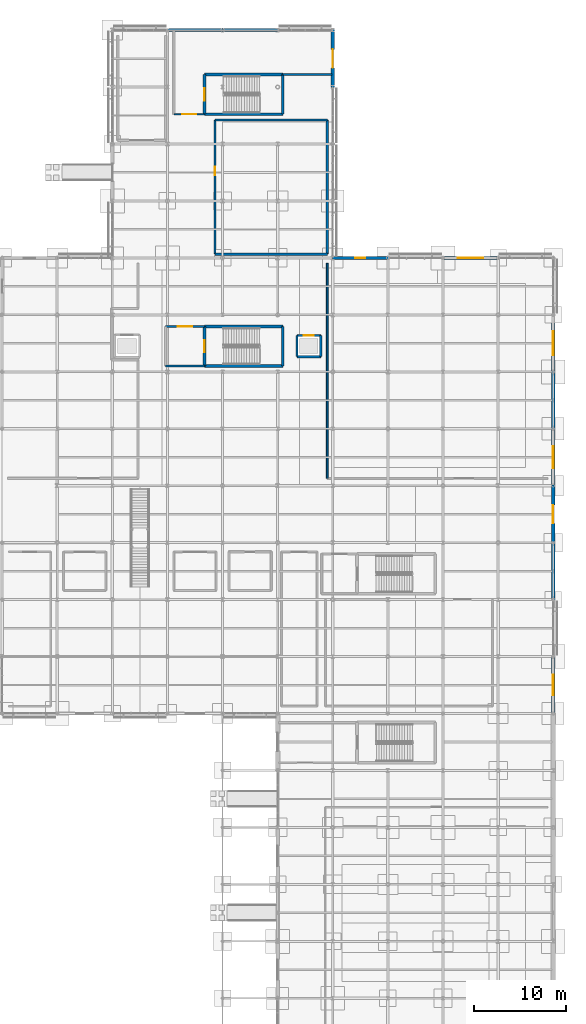
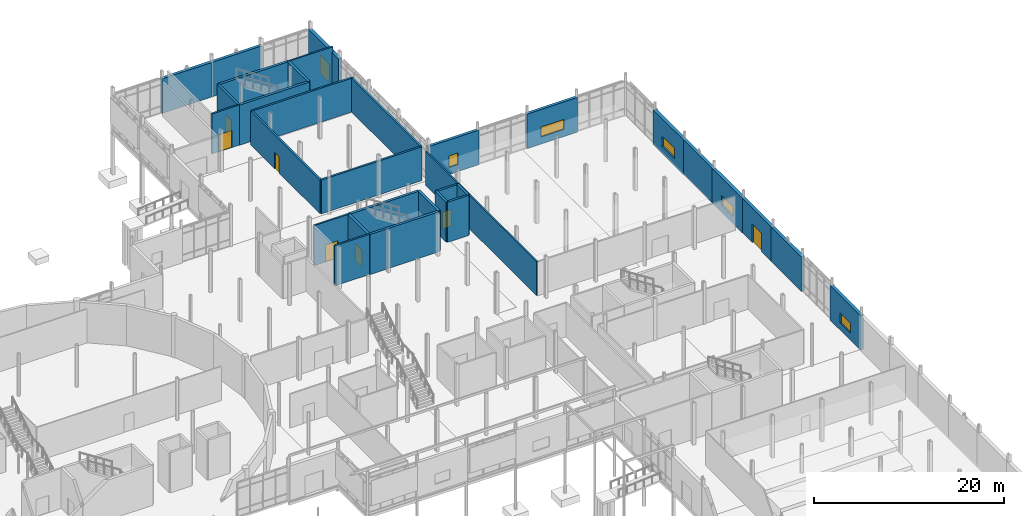
# One storey, part 74 of 98: 32 walls, 8 doors, 5 windows, 13 openings.
"""IFC4 building model written with IfcOpenShell, lengths in metres."""

from ifc_helpers import new_model, si_unit, direction, frame, frame_2d, origin, place, context, subcontext, project, spatial, rectangle, extrude, material, layer, layer_set, type_object, element, fill, save


model = new_model("IFC4")

# Units and contexts
model_context = context("Model", 3, precision=1e-05, world=origin(), true_north=direction((0.0, 1.0)))
body_context = subcontext(model_context, "Body", "Model", "MODEL_VIEW")
ifc_project = project(units=[si_unit("LENGTHUNIT", "METRE"), si_unit("AREAUNIT", "SQUARE_METRE"), si_unit("VOLUMEUNIT", "CUBIC_METRE"), si_unit("PLANEANGLEUNIT", "RADIAN"), si_unit("MASSUNIT", "GRAM", prefix="KILO")], contexts=[model_context])

# Site, building, storey
site_placement = place(None, origin())
site = spatial("IfcSite", under=ifc_project, at=site_placement, CompositionType="ELEMENT")
building_placement = place(site_placement, origin())
building = spatial("IfcBuilding", under=site, at=building_placement, Name="Mirzam Square Science Centre", CompositionType="ELEMENT")
storey_placement = place(building_placement, origin())
storey = spatial("IfcBuildingStorey", under=building, at=storey_placement, Name="L00", CompositionType="ELEMENT", Elevation=0.0)

# Walls
ifc_material_1 = material(Name="Concrete C45/55", Category="concrete")
ifc_layer_1 = layer(ifc_material_1, 0.300048828125)
ifc_layer_set_1 = layer_set([ifc_layer_1], Name="W-CORE-300")
wall_type_1 = type_object("IfcWallType", Name="W-CORE-300", PredefinedType="SHEAR", material=ifc_layer_set_1)
for number, where, z_axis, x_axis, name in (
    (1, (124.0400390625, 75.0400390625, 0.0), (0.0, 0.0, 1.0), (1.0, 0.0, 0.0), "L00 CORE-4 south wall"),
    (2, (132.56005859375, 79.330078125, 0.0), (0.0, 0.0, 1.0), (-1.0, 0.0, 0.0), "L00 CORE-4 north wall"),
):
    element("IfcWall", number, at=place(storey_placement, frame(where, z_axis=z_axis, x_axis=x_axis)), inside=storey, type_object=wall_type_1, Name=name, PredefinedType="SHEAR", context=body_context, shape_type="SweptSolid", body=[
        extrude(rectangle(XDim=8.52001953125, YDim=0.300048828125, at=frame_2d((4.260009765625, 0.0))), origin(), (0.0, 0.0, 1.0), 5.14990234375),
    ])

# Wall, opening, door
wall_1_placement = place(storey_placement, frame((124.0400390625, 79.330078125, 0.0), z_axis=(0.0, 0.0, 1.0), x_axis=(0.0, -1.0, 0.0)))
wall_1 = element("IfcWall", 3, at=wall_1_placement, inside=storey, type_object=wall_type_1, Name="L00 CORE-4 west wall", PredefinedType="SHEAR", context=body_context, shape_type="SweptSolid", body=[
    extrude(rectangle(XDim=4.2900390625, YDim=0.300048828125, at=frame_2d((2.14501953125, 0.0))), origin(), (0.0, 0.0, 1.0), 5.14990234375),
])
opening_1_placement = place(wall_1_placement, frame((1.469970703125, 0.0, 0.0)))
opening_1 = element("IfcOpeningElement", 4, at=opening_1_placement, cuts=wall_1, Name="Opening DS-01", PredefinedType="OPENING", context=body_context, shape_type="SweptSolid", body=[
    extrude(rectangle(XDim=1.35009765625, YDim=2.199951171875, at=frame_2d((0.675048828125, 1.10009765625))), frame((0.0, 0.159912109375, 0.0), z_axis=(0.0, -1.0, 0.0), x_axis=(1.0, 0.0, 0.0)), (0.0, 0.0, 1.0), 0.320068359375),
])
ifc_material_2 = material(Name="Fire-Rated Powder-Coated Architectural Steel Door", Category="steel")
door_type_1 = type_object("IfcDoorType", Name="DR-STAIR-1350x2200", OperationType="NOTDEFINED", PredefinedType="DOOR", material=ifc_material_2)
door_1_placement = place(opening_1_placement, origin())
door_1 = element("IfcDoor", 5, at=door_1_placement, inside=storey, type_object=door_type_1, Name="DRS-4-L00", OperationType="SINGLE_SWING_RIGHT", OverallHeight=2.199951171875, OverallWidth=1.35009765625, PredefinedType="DOOR", context=body_context, shape_type="SweptSolid", body=[
    extrude(rectangle(XDim=1.35009765625, YDim=2.199951171875, at=frame_2d((0.675048828125, 1.10009765625))), frame((0.0, 0.02490234375, 0.0), z_axis=(0.0, -1.0, 0.0), x_axis=(1.0, 0.0, 0.0)), (0.0, 0.0, 1.0), 0.050048828125),
])
fill(opening_1, door_1)

# Walls
wall_2_placement = place(storey_placement, frame((132.56005859375, 75.0400390625, 0.0), z_axis=(0.0, 0.0, 1.0), x_axis=(0.0, 1.0, 0.0)))
element("IfcWall", 6, at=wall_2_placement, inside=storey, type_object=wall_type_1, Name="L00 CORE-4 east wall", PredefinedType="SHEAR", context=body_context, shape_type="SweptSolid", body=[
    extrude(rectangle(XDim=4.2900390625, YDim=0.300048828125, at=frame_2d((2.14501953125, 0.0))), origin(), (0.0, 0.0, 1.0), 5.14990234375),
])
for number, where, z_axis, x_axis, name in (
    (7, (124.0400390625, 102.43994140625, 0.0), (0.0, 0.0, 1.0), (1.0, 0.0, 0.0), "L00 CORE-7 south wall"),
    (8, (132.56005859375, 106.77001953125, 0.0), (0.0, 0.0, 1.0), (-1.0, 0.0, 0.0), "L00 CORE-7 north wall"),
):
    element("IfcWall", number, at=place(storey_placement, frame(where, z_axis=z_axis, x_axis=x_axis)), inside=storey, type_object=wall_type_1, Name=name, PredefinedType="SHEAR", context=body_context, shape_type="SweptSolid", body=[
        extrude(rectangle(XDim=8.52001953125, YDim=0.300048828125, at=frame_2d((4.260009765625, 0.0))), origin(), (0.0, 0.0, 1.0), 5.14990234375),
    ])

# Wall, opening, door
wall_3_placement = place(storey_placement, frame((124.0400390625, 106.77001953125, 0.0), z_axis=(0.0, 0.0, 1.0), x_axis=(0.0, -1.0, 0.0)))
wall_3 = element("IfcWall", 9, at=wall_3_placement, inside=storey, type_object=wall_type_1, Name="L00 CORE-7 west wall", PredefinedType="SHEAR", context=body_context, shape_type="SweptSolid", body=[
    extrude(rectangle(XDim=4.330078125, YDim=0.300048828125, at=frame_2d((2.1650390625, 0.0))), origin(), (0.0, 0.0, 1.0), 5.14990234375),
])
opening_2_placement = place(wall_3_placement, frame((1.489990234375, 0.0, 0.0)))
opening_2 = element("IfcOpeningElement", 10, at=opening_2_placement, cuts=wall_3, Name="Opening DS-01", PredefinedType="OPENING", context=body_context, shape_type="SweptSolid", body=[
    extrude(rectangle(XDim=1.35009765625, YDim=2.199951171875, at=frame_2d((0.675048828125, 1.10009765625))), frame((0.0, 0.159912109375, 0.0), z_axis=(0.0, -1.0, 0.0), x_axis=(1.0, 0.0, 0.0)), (0.0, 0.0, 1.0), 0.320068359375),
])
door_2_placement = place(opening_2_placement, origin())
door_2 = element("IfcDoor", 11, at=door_2_placement, inside=storey, type_object=door_type_1, Name="DRS-7-L00", OperationType="SINGLE_SWING_LEFT", OverallHeight=2.199951171875, OverallWidth=1.35009765625, PredefinedType="DOOR", context=body_context, shape_type="SweptSolid", body=[
    extrude(rectangle(XDim=1.35009765625, YDim=2.199951171875, at=frame_2d((0.675048828125, 1.10009765625))), frame((0.0, 0.02490234375, 0.0), z_axis=(0.0, -1.0, 0.0), x_axis=(1.0, 0.0, 0.0)), (0.0, 0.0, 1.0), 0.050048828125),
])
fill(opening_2, door_2)

# Wall
wall_4_placement = place(storey_placement, frame((132.56005859375, 102.43994140625, 0.0), z_axis=(0.0, 0.0, 1.0), x_axis=(0.0, 1.0, 0.0)))
element("IfcWall", 12, at=wall_4_placement, inside=storey, type_object=wall_type_1, Name="L00 CORE-7 east wall", PredefinedType="SHEAR", context=body_context, shape_type="SweptSolid", body=[
    extrude(rectangle(XDim=4.330078125, YDim=0.300048828125, at=frame_2d((2.1650390625, 0.0))), origin(), (0.0, 0.0, 1.0), 5.14990234375),
])

# Wall, opening, window
ifc_material_3 = material(Name="Insulated Sand-Toned GFRC Concrete C40/50", Category="concrete")
ifc_layer_2 = layer(ifc_material_3, 0.340087890625)
ifc_layer_set_2 = layer_set([ifc_layer_2], Name="W-EXT-GFRC-340")
wall_type_2 = type_object("IfcWallType", Name="W-EXT-GFRC-340", PredefinedType="SOLIDWALL", material=ifc_layer_set_2)
wall_5_placement = place(storey_placement, frame((156.074951171875, 86.800048828125, 0.0), z_axis=(0.0, 0.0, 1.0), x_axis=(-1.0, 0.0, 0.0)))
wall_5 = element("IfcWall", 13, at=wall_5_placement, inside=storey, type_object=wall_type_2, Name="L00 external wall EW-EST-NE-L00-02", PredefinedType="SOLIDWALL", context=body_context, shape_type="SweptSolid", body=[
    extrude(rectangle(XDim=6.14990234375, YDim=0.340087890625, at=frame_2d((3.074951171875, 0.0))), origin(), (0.0, 0.0, 1.0), 4.43994140625),
])
opening_3_placement = place(wall_5_placement, frame((1.675048828125, 0.0, 0.89990234375)))
opening_3 = element("IfcOpeningElement", 14, at=opening_3_placement, cuts=wall_5, Name="Opening W-11", PredefinedType="OPENING", context=body_context, shape_type="SweptSolid", body=[
    extrude(rectangle(XDim=2.800048828125, YDim=1.300048828125, at=frame_2d((1.39990234375, 0.64990234375))), frame((0.0, 0.179931640625, 0.0), z_axis=(0.0, -1.0, 0.0), x_axis=(1.0, 0.0, 0.0)), (0.0, 0.0, 1.0), 0.360107421875),
])
ifc_material_4 = material(Name="Thermally Broken Bronze Aluminium and Low-E Glass", Category="aluminium")
window_type_1 = type_object("IfcWindowType", Name="WIN-2800x1300", PartitioningType="DOUBLE_PANEL_VERTICAL", PredefinedType="WINDOW", material=ifc_material_4)
window_1_placement = place(opening_3_placement, origin())
window_1 = element("IfcWindow", 15, at=window_1_placement, inside=storey, type_object=window_type_1, Name="L00 solar window 055", OverallHeight=1.300048828125, OverallWidth=2.800048828125, PartitioningType="DOUBLE_PANEL_VERTICAL", PredefinedType="WINDOW", context=body_context, shape_type="SweptSolid", body=[
    extrude(rectangle(XDim=2.800048828125, YDim=1.300048828125, at=frame_2d((1.39990234375, 0.64990234375))), frame((0.0, 0.030029296875, 0.0), z_axis=(0.0, -1.0, 0.0), x_axis=(1.0, 0.0, 0.0)), (0.0, 0.0, 1.0), 0.06005859375),
])
fill(opening_3, window_1)

wall_6_placement = place(storey_placement, frame((144.074951171875, 86.800048828125, 0.0), z_axis=(0.0, 0.0, 1.0), x_axis=(-1.0, 0.0, 0.0)))
wall_6 = element("IfcWall", 16, at=wall_6_placement, inside=storey, type_object=wall_type_2, Name="L00 external wall EW-EST-NE-L00-04", PredefinedType="SOLIDWALL", context=body_context, shape_type="SweptSolid", body=[
    extrude(rectangle(XDim=6.14990234375, YDim=0.340087890625, at=frame_2d((3.074951171875, 0.0))), origin(), (0.0, 0.0, 1.0), 4.43994140625),
])
opening_4_placement = place(wall_6_placement, frame((2.52490234375, 0.0, 0.89990234375)))
opening_4 = element("IfcOpeningElement", 17, at=opening_4_placement, cuts=wall_6, Name="Opening W-12", PredefinedType="OPENING", context=body_context, shape_type="SweptSolid", body=[
    extrude(rectangle(XDim=1.10009765625, YDim=1.5, at=frame_2d((0.550048828125, 0.75))), frame((0.0, 0.179931640625, 0.0), z_axis=(0.0, -1.0, 0.0), x_axis=(1.0, 0.0, 0.0)), (0.0, 0.0, 1.0), 0.360107421875),
])
window_type_2 = type_object("IfcWindowType", Name="WIN-1100x1500", PartitioningType="SINGLE_PANEL", PredefinedType="WINDOW", material=ifc_material_4)
window_2_placement = place(opening_4_placement, origin())
window_2 = element("IfcWindow", 18, at=window_2_placement, inside=storey, type_object=window_type_2, Name="L00 solar window 056", OverallHeight=1.5, OverallWidth=1.10009765625, PartitioningType="SINGLE_PANEL", PredefinedType="WINDOW", context=body_context, shape_type="SweptSolid", body=[
    extrude(rectangle(XDim=1.10009765625, YDim=1.5, at=frame_2d((0.550048828125, 0.75))), frame((0.0, 0.030029296875, 0.0), z_axis=(0.0, -1.0, 0.0), x_axis=(1.0, 0.0, 0.0)), (0.0, 0.0, 1.0), 0.06005859375),
])
fill(opening_4, window_2)

# Wall, opening, door
ifc_layer_3 = layer(ifc_material_3, 0.35498046875)
ifc_layer_set_3 = layer_set([ifc_layer_3], Name="W-EXT-GFRC-355")
wall_type_3 = type_object("IfcWallType", Name="W-EXT-GFRC-355", PredefinedType="SOLIDWALL", material=ifc_layer_set_3)
wall_7_placement = place(storey_placement, frame((162.0, 55.72509765625, 0.0), z_axis=(0.0, 0.0, 1.0), x_axis=(0.0, 1.0, 0.0)))
wall_7 = element("IfcWall", 19, at=wall_7_placement, inside=storey, type_object=wall_type_3, Name="L00 external wall EW-EST-E-L00-04", PredefinedType="SOLIDWALL", context=body_context, shape_type="SweptSolid", body=[
    extrude(rectangle(XDim=6.349853515625, YDim=0.35498046875, at=frame_2d((3.1748046875, 0.0))), origin(), (0.0, 0.0, 1.0), 4.43994140625),
])
opening_5_placement = place(wall_7_placement, frame((2.175048828125, 0.0, 0.0)))
opening_5 = element("IfcOpeningElement", 20, at=opening_5_placement, cuts=wall_7, Name="Opening ED-01", PredefinedType="OPENING", context=body_context, shape_type="SweptSolid", body=[
    extrude(rectangle(XDim=2.0, YDim=2.39990234375, at=frame_2d((1.0, 1.199951171875))), frame((0.0, 0.1875, 0.0), z_axis=(0.0, -1.0, 0.0), x_axis=(1.0, 0.0, 0.0)), (0.0, 0.0, 1.0), 0.375),
])
ifc_material_5 = material(Name="Thermally Broken Bronze-Anodised Aluminium and Laminated Glass", Category="aluminium")
door_type_2 = type_object("IfcDoorType", Name="DR-EXT-2000x2400", OperationType="DOUBLE_DOOR_SINGLE_SWING", PredefinedType="DOOR", material=ifc_material_5)
door_3_placement = place(opening_5_placement, frame((2.0, 0.0, 0.0), z_axis=(0.0, 0.0, 1.0), x_axis=(-1.0, 0.0, 0.0)))
door_3 = element("IfcDoor", 21, at=door_3_placement, inside=storey, type_object=door_type_2, Name="ED-L00-019", OperationType="DOUBLE_DOOR_SINGLE_SWING", OverallHeight=2.39990234375, OverallWidth=2.0, PredefinedType="DOOR", context=body_context, shape_type="SweptSolid", body=[
    extrude(rectangle(XDim=2.0, YDim=2.39990234375, at=frame_2d((1.0, 1.199951171875))), frame((0.0, 0.02490234375, 0.0), z_axis=(0.0, -1.0, 0.0), x_axis=(1.0, 0.0, 0.0)), (0.0, 0.0, 1.0), 0.050048828125),
])
fill(opening_5, door_3)

# Wall, opening, window
ifc_layer_4 = layer(ifc_material_3, 0.385009765625)
ifc_layer_set_4 = layer_set([ifc_layer_4], Name="W-EXT-GFRC-385")
wall_type_4 = type_object("IfcWallType", Name="W-EXT-GFRC-385", PredefinedType="SOLIDWALL", material=ifc_layer_set_4)
wall_8_placement = place(storey_placement, frame((162.0, 37.125, 0.0), z_axis=(0.0, 0.0, 1.0), x_axis=(0.0, 1.0, 0.0)))
wall_8 = element("IfcWall", 22, at=wall_8_placement, inside=storey, type_object=wall_type_4, Name="L00 external wall EW-EST-E-L00-01", PredefinedType="SOLIDWALL", context=body_context, shape_type="SweptSolid", body=[
    extrude(rectangle(XDim=6.35009765625, YDim=0.385009765625, at=frame_2d((3.175048828125, 0.0))), origin(), (0.0, 0.0, 1.0), 4.43994140625),
])
opening_6_placement = place(wall_8_placement, frame((2.074951171875, 0.0, 0.89990234375)))
opening_6 = element("IfcOpeningElement", 23, at=opening_6_placement, cuts=wall_8, Name="Opening W-08", PredefinedType="OPENING", context=body_context, shape_type="SweptSolid", body=[
    extrude(rectangle(XDim=2.199951171875, YDim=1.300048828125, at=frame_2d((1.10009765625, 0.64990234375))), frame((0.0, 0.202392578125, 0.0), z_axis=(0.0, -1.0, 0.0), x_axis=(1.0, 0.0, 0.0)), (0.0, 0.0, 1.0), 0.405029296875),
])
window_type_3 = type_object("IfcWindowType", Name="WIN-2200x1300", PartitioningType="DOUBLE_PANEL_VERTICAL", PredefinedType="WINDOW", material=ifc_material_4)
window_3_placement = place(opening_6_placement, origin())
window_3 = element("IfcWindow", 24, at=window_3_placement, inside=storey, type_object=window_type_3, Name="L00 solar window 052", OverallHeight=1.300048828125, OverallWidth=2.199951171875, PartitioningType="DOUBLE_PANEL_VERTICAL", PredefinedType="WINDOW", context=body_context, shape_type="SweptSolid", body=[
    extrude(rectangle(XDim=2.199951171875, YDim=1.300048828125, at=frame_2d((1.10009765625, 0.64990234375))), frame((0.0, 0.030029296875, 0.0), z_axis=(0.0, -1.0, 0.0), x_axis=(1.0, 0.0, 0.0)), (0.0, 0.0, 1.0), 0.06005859375),
])
fill(opening_6, window_3)

# Wall
wall_9_placement = place(storey_placement, frame((162.0, 49.52490234375, 0.0), z_axis=(0.0, 0.0, 1.0), x_axis=(0.0, 1.0, 0.0)))
element("IfcWall", 25, at=wall_9_placement, inside=storey, type_object=wall_type_4, Name="L00 external wall EW-EST-E-L00-03", PredefinedType="SOLIDWALL", context=body_context, shape_type="SweptSolid", body=[
    extrude(rectangle(XDim=6.35009765625, YDim=0.385009765625, at=frame_2d((3.175048828125, 0.0))), origin(), (0.0, 0.0, 1.0), 4.43994140625),
])

# Wall, opening, window
wall_10_placement = place(storey_placement, frame((162.0, 61.925048828125, 0.0), z_axis=(0.0, 0.0, 1.0), x_axis=(0.0, 1.0, 0.0)))
wall_10 = element("IfcWall", 26, at=wall_10_placement, inside=storey, type_object=wall_type_4, Name="L00 external wall EW-EST-E-L00-05", PredefinedType="SOLIDWALL", context=body_context, shape_type="SweptSolid", body=[
    extrude(rectangle(XDim=6.349853515625, YDim=0.385009765625, at=frame_2d((3.1748046875, 0.0))), origin(), (0.0, 0.0, 1.0), 4.43994140625),
])
opening_7_placement = place(wall_10_placement, frame((1.97509765625, 0.0, 0.89990234375)))
opening_7 = element("IfcOpeningElement", 27, at=opening_7_placement, cuts=wall_10, Name="Opening W-09", PredefinedType="OPENING", context=body_context, shape_type="SweptSolid", body=[
    extrude(rectangle(XDim=2.39990234375, YDim=1.300048828125, at=frame_2d((1.199951171875, 0.64990234375))), frame((0.0, 0.202392578125, 0.0), z_axis=(0.0, -1.0, 0.0), x_axis=(1.0, 0.0, 0.0)), (0.0, 0.0, 1.0), 0.405029296875),
])
window_type_4 = type_object("IfcWindowType", Name="WIN-2400x1300", PartitioningType="DOUBLE_PANEL_VERTICAL", PredefinedType="WINDOW", material=ifc_material_4)
window_4_placement = place(opening_7_placement, origin())
window_4 = element("IfcWindow", 28, at=window_4_placement, inside=storey, type_object=window_type_4, Name="L00 solar window 053", OverallHeight=1.300048828125, OverallWidth=2.39990234375, PartitioningType="DOUBLE_PANEL_VERTICAL", PredefinedType="WINDOW", context=body_context, shape_type="SweptSolid", body=[
    extrude(rectangle(XDim=2.39990234375, YDim=1.300048828125, at=frame_2d((1.199951171875, 0.64990234375))), frame((0.0, 0.030029296875, 0.0), z_axis=(0.0, -1.0, 0.0), x_axis=(1.0, 0.0, 0.0)), (0.0, 0.0, 1.0), 0.06005859375),
])
fill(opening_7, window_4)

wall_11_placement = place(storey_placement, frame((162.0, 74.324951171875, 0.0), z_axis=(0.0, 0.0, 1.0), x_axis=(0.0, 1.0, 0.0)))
wall_11 = element("IfcWall", 29, at=wall_11_placement, inside=storey, type_object=wall_type_4, Name="L00 external wall EW-EST-E-L00-07", PredefinedType="SOLIDWALL", context=body_context, shape_type="SweptSolid", body=[
    extrude(rectangle(XDim=6.35009765625, YDim=0.385009765625, at=frame_2d((3.175048828125, 0.0))), origin(), (0.0, 0.0, 1.0), 4.43994140625),
])
opening_8_placement = place(wall_11_placement, frame((1.875, 0.0, 0.89990234375)))
opening_8 = element("IfcOpeningElement", 30, at=opening_8_placement, cuts=wall_11, Name="Opening W-10", PredefinedType="OPENING", context=body_context, shape_type="SweptSolid", body=[
    extrude(rectangle(XDim=2.60009765625, YDim=1.300048828125, at=frame_2d((1.300048828125, 0.64990234375))), frame((0.0, 0.202392578125, 0.0), z_axis=(0.0, -1.0, 0.0), x_axis=(1.0, 0.0, 0.0)), (0.0, 0.0, 1.0), 0.405029296875),
])
window_type_5 = type_object("IfcWindowType", Name="WIN-2600x1300", PartitioningType="DOUBLE_PANEL_VERTICAL", PredefinedType="WINDOW", material=ifc_material_4)
window_5_placement = place(opening_8_placement, origin())
window_5 = element("IfcWindow", 31, at=window_5_placement, inside=storey, type_object=window_type_5, Name="L00 solar window 054", OverallHeight=1.300048828125, OverallWidth=2.60009765625, PartitioningType="DOUBLE_PANEL_VERTICAL", PredefinedType="WINDOW", context=body_context, shape_type="SweptSolid", body=[
    extrude(rectangle(XDim=2.60009765625, YDim=1.300048828125, at=frame_2d((1.300048828125, 0.64990234375))), frame((0.0, 0.030029296875, 0.0), z_axis=(0.0, -1.0, 0.0), x_axis=(1.0, 0.0, 0.0)), (0.0, 0.0, 1.0), 0.06005859375),
])
fill(opening_8, window_5)

# Wall, opening, door
ifc_material_6 = material(Name="Honed Qatari Limestone Concrete C40/50", Category="masonry")
ifc_layer_5 = layer(ifc_material_6, 0.419921875)
ifc_layer_set_5 = layer_set([ifc_layer_5], Name="W-EXT-LIME-420")
wall_type_5 = type_object("IfcWallType", Name="W-EXT-LIME-420", PredefinedType="SOLIDWALL", material=ifc_layer_set_5)
wall_12_placement = place(storey_placement, frame((138.0, 105.324951171875, 0.0), z_axis=(0.0, 0.0, 1.0), x_axis=(0.0, 1.0, 0.0)))
wall_12 = element("IfcWall", 32, at=wall_12_placement, inside=storey, type_object=wall_type_5, Name="L00 external wall EW-NEP-E-L00-4", PredefinedType="SOLIDWALL", context=body_context, shape_type="SweptSolid", body=[
    extrude(rectangle(XDim=6.35009765625, YDim=0.419921875, at=frame_2d((3.175048828125, 0.0))), origin(), (0.0, 0.0, 1.0), 4.43994140625),
])
opening_9_placement = place(wall_12_placement, frame((2.175048828125, 0.0, 0.0)))
opening_9 = element("IfcOpeningElement", 33, at=opening_9_placement, cuts=wall_12, Name="Opening ED-01", PredefinedType="OPENING", context=body_context, shape_type="SweptSolid", body=[
    extrude(rectangle(XDim=2.0, YDim=2.39990234375, at=frame_2d((1.0, 1.199951171875))), frame((0.0, 0.219970703125, 0.0), z_axis=(0.0, -1.0, 0.0), x_axis=(1.0, 0.0, 0.0)), (0.0, 0.0, 1.0), 0.43994140625),
])
door_4_placement = place(opening_9_placement, frame((2.0, 0.0, 0.0), z_axis=(0.0, 0.0, 1.0), x_axis=(-1.0, 0.0, 0.0)))
door_4 = element("IfcDoor", 34, at=door_4_placement, inside=storey, type_object=door_type_2, Name="ED-L00-021", OperationType="DOUBLE_DOOR_SINGLE_SWING", OverallHeight=2.39990234375, OverallWidth=2.0, PredefinedType="DOOR", context=body_context, shape_type="SweptSolid", body=[
    extrude(rectangle(XDim=2.0, YDim=2.39990234375, at=frame_2d((1.0, 1.199951171875))), frame((0.0, 0.02490234375, 0.0), z_axis=(0.0, -1.0, 0.0), x_axis=(1.0, 0.0, 0.0)), (0.0, 0.0, 1.0), 0.050048828125),
])
fill(opening_9, door_4)

# Walls
ifc_material_7 = material(Name="Standing-Seam Zinc-Clad Concrete Backup C40/50", Category="concrete")
ifc_layer_6 = layer(ifc_material_7, 0.35009765625)
ifc_layer_set_6 = layer_set([ifc_layer_6], Name="W-EXT-METAL-350")
wall_type_6 = type_object("IfcWallType", Name="W-EXT-METAL-350", PredefinedType="SOLIDWALL", material=ifc_layer_set_6)
wall_13_placement = place(storey_placement, frame((162.0, 68.125, 0.0), z_axis=(0.0, 0.0, 1.0), x_axis=(0.0, 1.0, 0.0)))
element("IfcWall", 35, at=wall_13_placement, inside=storey, type_object=wall_type_6, Name="L00 external wall EW-EST-E-L00-06", PredefinedType="SOLIDWALL", context=body_context, shape_type="SweptSolid", body=[
    extrude(rectangle(XDim=6.35009765625, YDim=0.35009765625, at=frame_2d((3.175048828125, 0.0))), origin(), (0.0, 0.0, 1.0), 4.43994140625),
])
for number, where, z_axis, x_axis, name in (
    (36, (126.074951171875, 111.60009765625, 0.0), (0.0, 0.0, 1.0), (-1.0, 0.0, 0.0), "L00 external wall EW-NEP-N-L00-21"),
    (37, (132.074951171875, 111.60009765625, 0.0), (0.0, 0.0, 1.0), (-1.0, 0.0, 0.0), "L00 external wall EW-NEP-N-L00-22"),
):
    element("IfcWall", number, at=place(storey_placement, frame(where, z_axis=z_axis, x_axis=x_axis)), inside=storey, type_object=wall_type_6, Name=name, PredefinedType="SOLIDWALL", context=body_context, shape_type="SweptSolid", body=[
        extrude(rectangle(XDim=6.14990234375, YDim=0.35009765625, at=frame_2d((3.074951171875, 0.0))), origin(), (0.0, 0.0, 1.0), 4.43994140625),
    ])
ifc_layer_7 = layer(ifc_material_1, 0.199951171875)
ifc_layer_set_7 = layer_set([ifc_layer_7], Name="W-LOBBY-200")
wall_type_7 = type_object("IfcWallType", Name="W-LOBBY-200", PredefinedType="SHEAR", material=ifc_layer_set_7)
wall_14_placement = place(storey_placement, frame((119.800048828125, 75.0400390625, 0.0), z_axis=(0.0, 0.0, 1.0), x_axis=(1.0, 0.0, 0.0)))
element("IfcWall", 38, at=wall_14_placement, inside=storey, type_object=wall_type_7, Name="L00 CORE-4 lobby south wall", PredefinedType="SHEAR", context=body_context, shape_type="SweptSolid", body=[
    extrude(rectangle(XDim=4.239990234375, YDim=0.199951171875, at=frame_2d((2.1201171875, 0.0))), origin(), (0.0, 0.0, 1.0), 5.14990234375),
])

# Wall, opening, door
wall_15_placement = place(storey_placement, frame((124.0400390625, 79.330078125, 0.0), z_axis=(0.0, 0.0, 1.0), x_axis=(-1.0, 0.0, 0.0)))
wall_15 = element("IfcWall", 39, at=wall_15_placement, inside=storey, type_object=wall_type_7, Name="L00 CORE-4 lobby north wall", PredefinedType="SHEAR", context=body_context, shape_type="SweptSolid", body=[
    extrude(rectangle(XDim=4.239990234375, YDim=0.199951171875, at=frame_2d((2.1201171875, 0.0))), origin(), (0.0, 0.0, 1.0), 5.14990234375),
])
opening_10_placement = place(wall_15_placement, frame((1.344970703125, 0.0, 0.0)))
opening_10 = element("IfcOpeningElement", 40, at=opening_10_placement, cuts=wall_15, Name="Opening DL-01", PredefinedType="OPENING", context=body_context, shape_type="SweptSolid", body=[
    extrude(rectangle(XDim=1.550048828125, YDim=2.199951171875, at=frame_2d((0.77490234375, 1.10009765625))), frame((0.0, 0.10986328125, 0.0), z_axis=(0.0, -1.0, 0.0), x_axis=(1.0, 0.0, 0.0)), (0.0, 0.0, 1.0), 0.219970703125),
])
ifc_material_8 = material(Name="Fire-Rated Glazed Architectural Steel Lobby Door", Category="steel")
door_type_3 = type_object("IfcDoorType", Name="DR-LOBBY-1550x2200", OperationType="DOUBLE_DOOR_SINGLE_SWING", PredefinedType="DOOR", material=ifc_material_8)
door_5_placement = place(opening_10_placement, origin())
door_5 = element("IfcDoor", 41, at=door_5_placement, inside=storey, type_object=door_type_3, Name="DRL-4-L00", OperationType="SINGLE_SWING_LEFT", OverallHeight=2.199951171875, OverallWidth=1.550048828125, PredefinedType="DOOR", context=body_context, shape_type="SweptSolid", body=[
    extrude(rectangle(XDim=1.550048828125, YDim=2.199951171875, at=frame_2d((0.77490234375, 1.10009765625))), frame((0.0, 0.02490234375, 0.0), z_axis=(0.0, -1.0, 0.0), x_axis=(1.0, 0.0, 0.0)), (0.0, 0.0, 1.0), 0.050048828125),
])
fill(opening_10, door_5)

wall_16_placement = place(storey_placement, frame((120.699951171875, 102.43994140625, 0.0), z_axis=(0.0, 0.0, 1.0), x_axis=(1.0, 0.0, 0.0)))
wall_16 = element("IfcWall", 42, at=wall_16_placement, inside=storey, type_object=wall_type_7, Name="L00 CORE-7 lobby south wall", PredefinedType="SHEAR", context=body_context, shape_type="SweptSolid", body=[
    extrude(rectangle(XDim=3.340087890625, YDim=0.199951171875, at=frame_2d((1.669921875, 0.0))), origin(), (0.0, 0.0, 1.0), 5.14990234375),
])
opening_11_placement = place(wall_16_placement, frame((0.89501953125, 0.0, 0.0)))
opening_11 = element("IfcOpeningElement", 43, at=opening_11_placement, cuts=wall_16, Name="Opening DL-01", PredefinedType="OPENING", context=body_context, shape_type="SweptSolid", body=[
    extrude(rectangle(XDim=1.550048828125, YDim=2.199951171875, at=frame_2d((0.77490234375, 1.10009765625))), frame((0.0, 0.10986328125, 0.0), z_axis=(0.0, -1.0, 0.0), x_axis=(1.0, 0.0, 0.0)), (0.0, 0.0, 1.0), 0.219970703125),
])
door_6_placement = place(opening_11_placement, origin())
door_6 = element("IfcDoor", 44, at=door_6_placement, inside=storey, type_object=door_type_3, Name="DRL-7-L00", OperationType="SINGLE_SWING_LEFT", OverallHeight=2.199951171875, OverallWidth=1.550048828125, PredefinedType="DOOR", context=body_context, shape_type="SweptSolid", body=[
    extrude(rectangle(XDim=1.550048828125, YDim=2.199951171875, at=frame_2d((0.77490234375, 1.10009765625))), frame((0.0, 0.02490234375, 0.0), z_axis=(0.0, -1.0, 0.0), x_axis=(1.0, 0.0, 0.0)), (0.0, 0.0, 1.0), 0.050048828125),
])
fill(opening_11, door_6)

# Walls
wall_17_placement = place(storey_placement, frame((132.56005859375, 106.77001953125, 0.0), z_axis=(0.0, 0.0, 1.0), x_axis=(1.0, 0.0, 0.0)))
element("IfcWall", 45, at=wall_17_placement, inside=storey, type_object=wall_type_7, Name="L00 CORE-7 exit passage south wall", PredefinedType="SHEAR", context=body_context, shape_type="SweptSolid", body=[
    extrude(rectangle(XDim=5.33984375, YDim=0.199951171875, at=frame_2d((2.669921875, 0.0))), origin(), (0.0, 0.0, 1.0), 5.14990234375),
])
ifc_material_9 = material(Name="Workshop Acoustic Masonry Partition", Category="masonry")
ifc_layer_8 = layer(ifc_material_9, 0.179931640625)
ifc_layer_set_8 = layer_set([ifc_layer_8], Name="W-PART-180")
wall_type_8 = type_object("IfcWallType", Name="W-PART-180", PredefinedType="PARTITIONING", material=ifc_layer_set_8)
wall_18_placement = place(storey_placement, frame((137.39990234375, 62.800048828125, 0.0), z_axis=(0.0, 0.0, 1.0), x_axis=(0.0, 1.0, 0.0)))
element("IfcWall", 46, at=wall_18_placement, inside=storey, type_object=wall_type_8, Name="L00 School Robotics Workshop 1 partition 81", PredefinedType="PARTITIONING", context=body_context, shape_type="SweptSolid", body=[
    extrude(rectangle(XDim=23.39990234375, YDim=0.179931640625, at=frame_2d((11.699951171875, 0.0))), origin(), (0.0, 0.0, 1.0), 4.35009765625),
])
ifc_material_10 = material(Name="Gallery Display Backing Wall Concrete C30/37", Category="concrete")
ifc_layer_9 = layer(ifc_material_10, 0.22998046875)
ifc_layer_set_9 = layer_set([ifc_layer_9], Name="W-PART-230")
wall_type_9 = type_object("IfcWallType", Name="W-PART-230", PredefinedType="PARTITIONING", material=ifc_layer_set_9)
wall_19_placement = place(storey_placement, frame((125.199951171875, 101.800048828125, 0.0), z_axis=(0.0, 0.0, 1.0), x_axis=(1.0, 0.0, 0.0)))
element("IfcWall", 47, at=wall_19_placement, inside=storey, type_object=wall_type_9, Name="L00 Youth STEM Orientation Auditorium partition 91", PredefinedType="PARTITIONING", context=body_context, shape_type="SweptSolid", body=[
    extrude(rectangle(XDim=12.199951171875, YDim=0.22998046875, at=frame_2d((6.10009765625, 0.0))), origin(), (0.0, 0.0, 1.0), 4.35009765625),
])
wall_20_placement = place(storey_placement, frame((137.39990234375, 101.800048828125, 0.0), z_axis=(0.0, 0.0, 1.0), x_axis=(0.0, -1.0, 0.0)))
element("IfcWall", 48, at=wall_20_placement, inside=storey, type_object=wall_type_9, Name="L00 Youth STEM Orientation Auditorium partition 92", PredefinedType="PARTITIONING", context=body_context, shape_type="SweptSolid", body=[
    extrude(rectangle(XDim=14.60009765625, YDim=0.22998046875, at=frame_2d((7.300048828125, 0.0))), origin(), (0.0, 0.0, 1.0), 4.35009765625),
])
wall_21_placement = place(storey_placement, frame((137.39990234375, 87.199951171875, 0.0), z_axis=(0.0, 0.0, 1.0), x_axis=(-1.0, 0.0, 0.0)))
element("IfcWall", 49, at=wall_21_placement, inside=storey, type_object=wall_type_9, Name="L00 Youth STEM Orientation Auditorium partition 93", PredefinedType="PARTITIONING", context=body_context, shape_type="SweptSolid", body=[
    extrude(rectangle(XDim=12.199951171875, YDim=0.22998046875, at=frame_2d((6.10009765625, 0.0))), origin(), (0.0, 0.0, 1.0), 4.35009765625),
])

# Wall, opening, door
wall_22_placement = place(storey_placement, frame((125.199951171875, 87.199951171875, 0.0), z_axis=(0.0, 0.0, 1.0), x_axis=(0.0, 1.0, 0.0)))
wall_22 = element("IfcWall", 50, at=wall_22_placement, inside=storey, type_object=wall_type_9, Name="L00 Youth STEM Orientation Auditorium partition 94", PredefinedType="PARTITIONING", context=body_context, shape_type="SweptSolid", body=[
    extrude(rectangle(XDim=14.60009765625, YDim=0.22998046875, at=frame_2d((7.300048828125, 0.0))), origin(), (0.0, 0.0, 1.0), 4.35009765625),
])
opening_12_placement = place(wall_22_placement, frame((8.60205078125, 0.0, 0.0)))
opening_12 = element("IfcOpeningElement", 51, at=opening_12_placement, cuts=wall_22, Name="Opening D-01", PredefinedType="OPENING", context=body_context, shape_type="SweptSolid", body=[
    extrude(rectangle(XDim=0.89990234375, YDim=2.10009765625, at=frame_2d((0.449951171875, 1.050048828125))), frame((0.0, 0.125, 0.0), z_axis=(0.0, -1.0, 0.0), x_axis=(1.0, 0.0, 0.0)), (0.0, 0.0, 1.0), 0.25),
])
ifc_material_11 = material(Name="Solid Core Acoustic Oak Timber Door", Category="wood")
door_type_4 = type_object("IfcDoorType", Name="DR-INT-900x2100", OperationType="NOTDEFINED", PredefinedType="DOOR", material=ifc_material_11)
door_7_placement = place(opening_12_placement, origin())
door_7 = element("IfcDoor", 52, at=door_7_placement, inside=storey, type_object=door_type_4, Name="ID-L00-0024", OperationType="SINGLE_SWING_LEFT", OverallHeight=2.10009765625, OverallWidth=0.89990234375, PredefinedType="DOOR", context=body_context, shape_type="SweptSolid", body=[
    extrude(rectangle(XDim=0.89990234375, YDim=2.10009765625, at=frame_2d((0.449951171875, 1.050048828125))), frame((0.0, 0.02490234375, 0.0), z_axis=(0.0, -1.0, 0.0), x_axis=(1.0, 0.0, 0.0)), (0.0, 0.0, 1.0), 0.050048828125),
])
fill(opening_12, door_7)

# Wall
ifc_layer_10 = layer(ifc_material_1, 0.25)
ifc_layer_set_10 = layer_set([ifc_layer_10], Name="W-SHAFT-250")
wall_type_10 = type_object("IfcWallType", Name="W-SHAFT-250", PredefinedType="SHEAR", material=ifc_layer_set_10)
wall_23_placement = place(storey_placement, frame((134.10009765625, 76.050048828125, 0.0), z_axis=(0.0, 0.0, 1.0), x_axis=(1.0, 0.0, 0.0)))
element("IfcWall", 53, at=wall_23_placement, inside=storey, type_object=wall_type_10, Name="L00 lift LP-03 shaft wall S", PredefinedType="SHEAR", context=body_context, shape_type="SweptSolid", body=[
    extrude(rectangle(XDim=2.599853515625, YDim=0.25, at=frame_2d((1.2998046875, 0.0))), origin(), (0.0, 0.0, 1.0), 5.14990234375),
])

# Wall, opening, door
wall_24_placement = place(storey_placement, frame((136.699951171875, 78.35009765625, 0.0), z_axis=(0.0, 0.0, 1.0), x_axis=(-1.0, 0.0, 0.0)))
wall_24 = element("IfcWall", 54, at=wall_24_placement, inside=storey, type_object=wall_type_10, Name="L00 lift LP-03 shaft wall N", PredefinedType="SHEAR", context=body_context, shape_type="SweptSolid", body=[
    extrude(rectangle(XDim=2.599853515625, YDim=0.25, at=frame_2d((1.2998046875, 0.0))), origin(), (0.0, 0.0, 1.0), 5.14990234375),
])
opening_13_placement = place(wall_24_placement, frame((0.75, 0.0, 0.0)))
opening_13 = element("IfcOpeningElement", 55, at=opening_13_placement, cuts=wall_24, Name="Opening LD-01", PredefinedType="OPENING", context=body_context, shape_type="SweptSolid", body=[
    extrude(rectangle(XDim=1.10009765625, YDim=2.14990234375, at=frame_2d((0.550048828125, 1.074951171875))), frame((0.0, 0.135009765625, 0.0), z_axis=(0.0, -1.0, 0.0), x_axis=(1.0, 0.0, 0.0)), (0.0, 0.0, 1.0), 0.27001953125),
])
ifc_material_12 = material(Name="Brushed Stainless Steel 316L Sliding Lift Door", Category="steel")
door_type_5 = type_object("IfcDoorType", Name="LD-PASS-1100x2150", OperationType="DOUBLE_DOOR_SLIDING", PredefinedType="DOOR", material=ifc_material_12)
door_8_placement = place(opening_13_placement, origin())
door_8 = element("IfcDoor", 56, at=door_8_placement, inside=storey, type_object=door_type_5, Name="LD-LP-03-L00", OperationType="DOUBLE_DOOR_SLIDING", OverallHeight=2.14990234375, OverallWidth=1.10009765625, PredefinedType="DOOR", context=body_context, shape_type="SweptSolid", body=[
    extrude(rectangle(XDim=1.10009765625, YDim=2.14990234375, at=frame_2d((0.550048828125, 1.074951171875))), frame((0.0, 0.02490234375, 0.0), z_axis=(0.0, -1.0, 0.0), x_axis=(1.0, 0.0, 0.0)), (0.0, 0.0, 1.0), 0.050048828125),
])
fill(opening_13, door_8)

# Walls
for number, where, z_axis, x_axis, name in (
    (57, (134.10009765625, 78.35009765625, 0.0), (0.0, 0.0, 1.0), (0.0, -1.0, 0.0), "L00 lift LP-03 shaft wall W"),
    (58, (136.699951171875, 76.050048828125, 0.0), (0.0, 0.0, 1.0), (0.0, 1.0, 0.0), "L00 lift LP-03 shaft wall E"),
):
    element("IfcWall", number, at=place(storey_placement, frame(where, z_axis=z_axis, x_axis=x_axis)), inside=storey, type_object=wall_type_10, Name=name, PredefinedType="SHEAR", context=body_context, shape_type="SweptSolid", body=[
        extrude(rectangle(XDim=2.300048828125, YDim=0.25, at=frame_2d((1.14990234375, 0.0))), origin(), (0.0, 0.0, 1.0), 5.14990234375),
    ])

save(model, "model.ifc")
